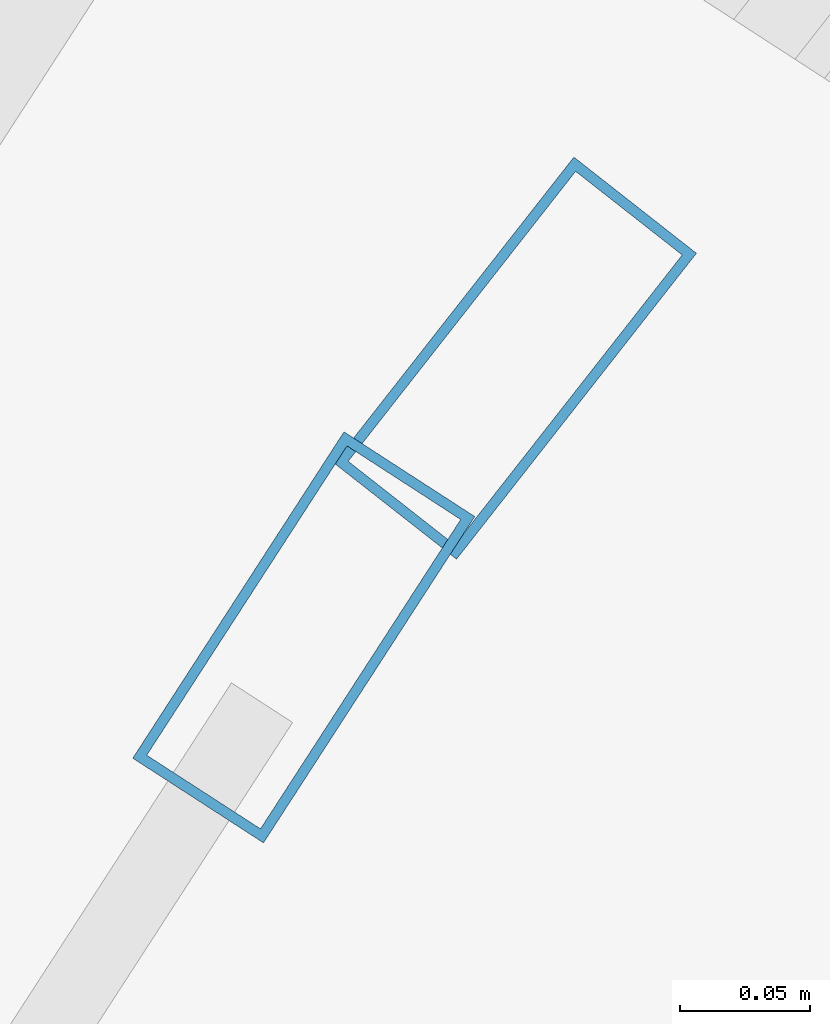
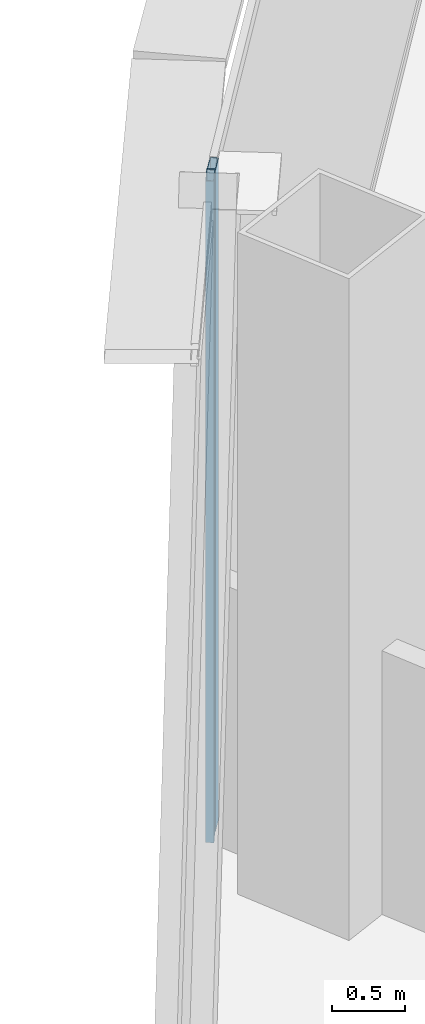
# One storey, part 18 of 40: 2 members, 2 elements without a shape of their own.
"""IFC4 building model written with IfcOpenShell, lengths in metres."""

import ifcopenshell
import ifcopenshell.guid

model = None  # the IFC model being written
_history = None  # IfcOwnerHistory: only IFC2X3 demands one
_inside = {}  # id of a spatial element -> (the spatial element, [elements in it])
_under = {}  # id of a project, library or spatial element -> (it, [spatial elements below it])
_declared = {}  # id of a project -> (the project, [libraries it declares])
_typed = {}  # id of a type object -> (the type object, [elements of that type])
_made_of = {}  # id of a material, layer set ... -> (it, [elements and type objects made of it])


def new_model(schema):
    """Start an empty IFC model of exactly this schema.

    Asked for "IFC4X3", IfcOpenShell would pick the latest addendum, in which some entities
    have other attributes; the version numbers below select the first issue.
    IFC2X3 requires an IfcOwnerHistory on every rooted entity: one is made here for all.
    """
    global model, _history
    if schema == "IFC4X3":
        model = ifcopenshell.file(schema_version=(4, 3, 0, 0))
    else:
        model = ifcopenshell.file(schema=schema)
    _inside.clear()
    _under.clear()
    _declared.clear()
    _typed.clear()
    _made_of.clear()
    _history = None
    if model.schema == "IFC2X3":
        org = make("IfcOrganization", Name="unknown")
        user = make(
            "IfcPersonAndOrganization",
            ThePerson=make("IfcPerson", FamilyName="unknown"),
            TheOrganization=org,
        )
        app = make(
            "IfcApplication",
            ApplicationDeveloper=org,
            Version="unknown",
            ApplicationFullName="unknown",
            ApplicationIdentifier="unknown",
        )
        _history = make(
            "IfcOwnerHistory",
            OwningUser=user,
            OwningApplication=app,
            ChangeAction="ADDED",
            CreationDate=0,
        )
    return model


def make(cls, **values):
    """One entity of the class cls with the attributes given. An attribute that is None is left unset."""
    return model.create_entity(
        cls, **{name: value for name, value in values.items() if value is not None}
    )


def rooted(cls, **values):
    """An entity with a GlobalId (a new one), such as an element, a storey or a relation."""
    return make(cls, GlobalId=ifcopenshell.guid.new(), OwnerHistory=_history, **values)


def si_unit(unit_type, name, prefix=None):
    """IfcSIUnit, for example si_unit("LENGTHUNIT", "METRE", prefix="MILLI")."""
    return make("IfcSIUnit", UnitType=unit_type, Prefix=prefix, Name=name)


def assignment(units):
    """IfcUnitAssignment: the units of a project."""
    return None if units is None else make("IfcUnitAssignment", Units=units)


def point(xyz):
    """IfcCartesianPoint."""
    return None if xyz is None else make("IfcCartesianPoint", Coordinates=xyz)


def direction(xyz):
    """IfcDirection."""
    return None if xyz is None else make("IfcDirection", DirectionRatios=xyz)


def frame(location, z_axis=None, x_axis=None):
    """IfcAxis2Placement3D, a coordinate frame: its origin and axes. An axis left out is left unset."""
    return make(
        "IfcAxis2Placement3D",
        Location=point(location),
        Axis=direction(z_axis),
        RefDirection=direction(x_axis),
    )


def frame_2d(location, x_axis=None):
    """IfcAxis2Placement2D, a coordinate frame in the plane: its origin and x axis."""
    return make(
        "IfcAxis2Placement2D", Location=point(location), RefDirection=direction(x_axis)
    )


def origin():
    """The frame at (0, 0, 0) with its axes left unset."""
    return frame((0.0, 0.0, 0.0))


def origin_2d():
    """The frame at (0, 0) in the plane with its x axis left unset."""
    return frame_2d((0.0, 0.0))


def place(relative_to, where):
    """IfcLocalPlacement: puts the frame where relative to a parent placement (None: the world)."""
    return make(
        "IfcLocalPlacement", PlacementRelTo=relative_to, RelativePlacement=where
    )


def context(
    kind, dimensions, precision=None, world=None, true_north=None, identifier=None
):
    """IfcGeometricRepresentationContext, for example the 3D "Model" context."""
    return make(
        "IfcGeometricRepresentationContext",
        ContextIdentifier=identifier,
        ContextType=kind,
        CoordinateSpaceDimension=dimensions,
        Precision=precision,
        WorldCoordinateSystem=world,
        TrueNorth=true_north,
    )


def subcontext(parent, identifier, kind, view, scale=None):
    """IfcGeometricRepresentationSubContext, for example "Body" below "Model"."""
    return make(
        "IfcGeometricRepresentationSubContext",
        ContextIdentifier=identifier,
        ContextType=kind,
        ParentContext=parent,
        TargetScale=scale,
        TargetView=view,
    )


def project(units=None, contexts=None):
    """IfcProject with its units and contexts."""
    return rooted(
        "IfcProject",
        Name="project",
        RepresentationContexts=contexts,
        UnitsInContext=assignment(units),
    )


def spatial(cls, under=None, at=None, **own):
    """A site, building, storey or space (cls), placed at a placement, below another one or the project."""
    s = rooted(cls, ObjectPlacement=at, **own)
    if under is not None:
        _under.setdefault(under.id(), (under, []))[1].append(s)
    return s


def profile(cls, at=None, kind="AREA", **sizes):
    """A parametric profile (cls). Its sizes go by their IFC names, for example OverallWidth=200.0."""
    return make(cls, ProfileType=kind, Position=at, **sizes)


def hollow_rectangle(**sizes):
    """IfcRectangleHollowProfileDef."""
    return profile("IfcRectangleHollowProfileDef", **sizes)


def extrude(swept, where, along, depth):
    """IfcExtrudedAreaSolid: the profile swept, set in the frame where, extruded along a direction by depth."""
    return make(
        "IfcExtrudedAreaSolid",
        SweptArea=swept,
        Position=where,
        ExtrudedDirection=direction(along),
        Depth=depth,
    )


def shape(context_of_items, identifier, shape_type, items):
    """IfcShapeRepresentation: the items that make up one representation, for example the "Body"."""
    return make(
        "IfcShapeRepresentation",
        ContextOfItems=context_of_items,
        RepresentationIdentifier=identifier,
        RepresentationType=shape_type,
        Items=items,
    )


def source(mapping_origin, context_of_items, identifier, shape_type, items):
    """IfcRepresentationMap: a shape defined once, which mapped items show again and again."""
    return make(
        "IfcRepresentationMap",
        MappingOrigin=mapping_origin,
        MappedRepresentation=shape(context_of_items, identifier, shape_type, items),
    )


def transform(
    local_origin,
    x_axis=None,
    y_axis=None,
    z_axis=None,
    scale=None,
    scale2=None,
    scale3=None,
    uniform=True,
):
    """IfcCartesianTransformationOperator3D, or its non-uniform kind. x_axis, y_axis, z_axis: its Axis1, 2, 3."""
    if uniform:
        return make(
            "IfcCartesianTransformationOperator3D",
            Axis1=direction(x_axis),
            Axis2=direction(y_axis),
            LocalOrigin=point(local_origin),
            Scale=scale,
            Axis3=direction(z_axis),
        )
    return make(
        "IfcCartesianTransformationOperator3DnonUniform",
        Axis1=direction(x_axis),
        Axis2=direction(y_axis),
        LocalOrigin=point(local_origin),
        Scale=scale,
        Axis3=direction(z_axis),
        Scale2=scale2,
        Scale3=scale3,
    )


def mapped(mapping_source, mapping_target):
    """IfcMappedItem: shows the shape of a source again, moved by a transform."""
    return make(
        "IfcMappedItem", MappingSource=mapping_source, MappingTarget=mapping_target
    )


def material(Name=None, Category=None):
    """IfcMaterial."""
    return make("IfcMaterial", Name=Name, Category=Category)


def layer(
    of_material, thickness, ventilated=None, Name=None, Category=None, Priority=None
):
    """IfcMaterialLayer: one layer of a wall or slab, of a material (None: an air gap)."""
    return make(
        "IfcMaterialLayer",
        Material=of_material,
        LayerThickness=thickness,
        IsVentilated=ventilated,
        Name=Name,
        Category=Category,
        Priority=Priority,
    )


def layer_set(layers, Name=None):
    """IfcMaterialLayerSet."""
    return make("IfcMaterialLayerSet", MaterialLayers=layers, LayerSetName=Name)


def material_profile(
    of_material, cross_section, Name=None, Category=None, Priority=None
):
    """IfcMaterialProfile: a cross section and its material."""
    return make(
        "IfcMaterialProfile",
        Name=Name,
        Material=of_material,
        Profile=cross_section,
        Priority=Priority,
        Category=Category,
    )


def profile_set(profiles, Name=None, composite=None):
    """IfcMaterialProfileSet."""
    return make(
        "IfcMaterialProfileSet",
        Name=Name,
        MaterialProfiles=profiles,
        CompositeProfile=composite,
    )


def made_of(thing, what):
    """Note that an element or type object is made of a material, layer set ...; save() writes the relation."""
    if what is not None:
        _made_of.setdefault(what.id(), (what, []))[1].append(thing)
    return thing


def type_object(cls, material=None, **own):
    """A type object (cls), such as IfcWallType, which elements share."""
    return made_of(rooted(cls, **own), material)


def element(
    cls,
    number,
    at=None,
    inside=None,
    cuts=None,
    type_object=None,
    material=None,
    context=None,
    identifier="Body",
    shape_type=None,
    held_by="IfcProductDefinitionShape",
    body=None,
    shapes=None,
    **own,
):
    """One element of the class cls, such as IfcWall. Its Tag is "e" and its number.

    at: its placement. inside: the storey or other place that contains it. cuts: it is an
    opening in that element (IfcRelVoidsElement). A single representation is given by context,
    identifier, shape_type and body (its items); several are given by shapes. held_by: the class
    of the entity that holds the representations. save() writes the other relations.
    """
    e = rooted(cls, Tag="e%d" % number, ObjectPlacement=at, **own)
    if body is not None:
        shapes = [shape(context, identifier, shape_type, body)]
    if shapes is not None:
        e.Representation = make(held_by, Representations=shapes)
    if inside is not None:
        _inside.setdefault(inside.id(), (inside, []))[1].append(e)
    if cuts is not None:
        rooted(
            "IfcRelVoidsElement", RelatingBuildingElement=cuts, RelatedOpeningElement=e
        )
    if type_object is not None:
        _typed.setdefault(type_object.id(), (type_object, []))[1].append(e)
    return made_of(e, material)


def aggregate(whole, parts):
    """IfcRelAggregates: a whole, such as a stair, and the parts it consists of."""
    return rooted("IfcRelAggregates", RelatingObject=whole, RelatedObjects=parts)


def save(model, path):
    """Write the relations noted so far, then the file.

    IfcRelAggregates (storeys below a building ...), IfcRelContainedInSpatialStructure (elements
    in a storey), IfcRelDefinesByType, IfcRelAssociatesMaterial and IfcRelDeclares: one each for
    every whole, place, type object, material and project.
    """
    for whole, parts in _under.values():
        aggregate(whole, parts)
    for where, things in _inside.values():
        rooted(
            "IfcRelContainedInSpatialStructure",
            RelatedElements=things,
            RelatingStructure=where,
        )
    for kind, things in _typed.values():
        rooted("IfcRelDefinesByType", RelatedObjects=things, RelatingType=kind)
    for what, things in _made_of.values():
        rooted("IfcRelAssociatesMaterial", RelatedObjects=things, RelatingMaterial=what)
    for by, libraries in _declared.values():
        rooted("IfcRelDeclares", RelatingContext=by, RelatedDefinitions=libraries)
    model.write(path)


model = new_model("IFC4")

# Units and contexts
model_context = context("Model", 3, precision=1e-05, world=origin(), true_north=direction((0.0, 1.0)))
body_context = subcontext(model_context, "Body", "Model", "MODEL_VIEW")
ifc_project = project(units=[si_unit("LENGTHUNIT", "METRE"), si_unit("AREAUNIT", "SQUARE_METRE"), si_unit("VOLUMEUNIT", "CUBIC_METRE"), si_unit("PLANEANGLEUNIT", "RADIAN"), si_unit("MASSUNIT", "GRAM", prefix="KILO"), si_unit("THERMODYNAMICTEMPERATUREUNIT", "KELVIN"), si_unit("POWERUNIT", "WATT")], contexts=[model_context])

# Site, building, storey
site_placement = place(None, origin())
site = spatial("IfcSite", under=ifc_project, at=site_placement, CompositionType="ELEMENT")
building_placement = place(site_placement, origin())
building = spatial("IfcBuilding", under=site, at=building_placement, Name="Yunzhuo Pagoda Commons", CompositionType="ELEMENT")
storey_placement = place(building_placement, frame((0.0, 0.0, 170.31005859375)))
storey = spatial("IfcBuildingStorey", under=building, at=storey_placement, Name="L43", CompositionType="ELEMENT", Elevation=170.31005859375)

# Curtain wall, member
ifc_material = material(Name="Anodized aluminium 6063-T6", Category="aluminium")
ifc_layer = layer(ifc_material, 0.14990234375)
ifc_layer_set = layer_set([ifc_layer], Name="Anodized aluminium 6063-T6")
curtain_wall_type = type_object("IfcCurtainWallType", Name="CW-MID Mid-Zone Ribbon Curtain Wall", PredefinedType="NOTDEFINED", material=ifc_layer_set)
curtain_wall_1_placement = place(storey_placement, origin())
curtain_wall_1 = element("IfcCurtainWall", 1, at=curtain_wall_1_placement, inside=storey, type_object=curtain_wall_type, Name="L43 curtain wall CW-L43-F3B2", PredefinedType="NOTDEFINED")
ifc_material_profile = material_profile(ifc_material, hollow_rectangle(XDim=0.06005859375, YDim=0.14990234375, WallThickness=0.00390625, at=origin_2d()), Name="Anodized aluminium 6063-T6")
ifc_profile_set = profile_set([ifc_material_profile], Name="Anodized aluminium 6063-T6")
member_type = type_object("IfcMemberType", Name="CW-MID-M Mullion RHS 150x60x4", PredefinedType="MULLION", material=ifc_profile_set)
shared_shape = source(origin(), body_context, "Body", "SweptSolid", [
    extrude(hollow_rectangle(XDim=0.06005859375, YDim=0.14990234375, WallThickness=0.00390625, at=origin_2d()), origin(), (0.0, 0.0, 1.0), 5.56982421875),
])
member_1_placement = place(storey_placement, frame((32.150390625, 69.23681640625, 0.0), z_axis=(0.0, 0.0, 1.0), x_axis=(0.839466065689, -0.543412113002, 0.0)))
member_1 = element("IfcMember", 2, at=member_1_placement, type_object=member_type, Name="CW mullion 1", PredefinedType="MULLION", context=body_context, shape_type="MappedRepresentation", body=[
    mapped(shared_shape, transform((0.0, 0.0, 0.0), scale=1.0)),
])
aggregate(curtain_wall_1, [member_1])

curtain_wall_2_placement = place(storey_placement, origin())
curtain_wall_2 = element("IfcCurtainWall", 3, at=curtain_wall_2_placement, inside=storey, type_object=curtain_wall_type, Name="L43 curtain wall CW-L43-F3B1", PredefinedType="NOTDEFINED")
member_2_placement = place(storey_placement, frame((32.23193359375, 69.344482421875, 0.0), z_axis=(0.0, 0.0, 1.0), x_axis=(0.786855306064, -0.617137527071, 0.0)))
member_2 = element("IfcMember", 4, at=member_2_placement, type_object=member_type, Name="CW mullion 2", PredefinedType="MULLION", context=body_context, shape_type="MappedRepresentation", body=[
    mapped(shared_shape, transform((0.0, 0.0, 0.0), scale=1.0)),
])
aggregate(curtain_wall_2, [member_2])

save(model, "model.ifc")
